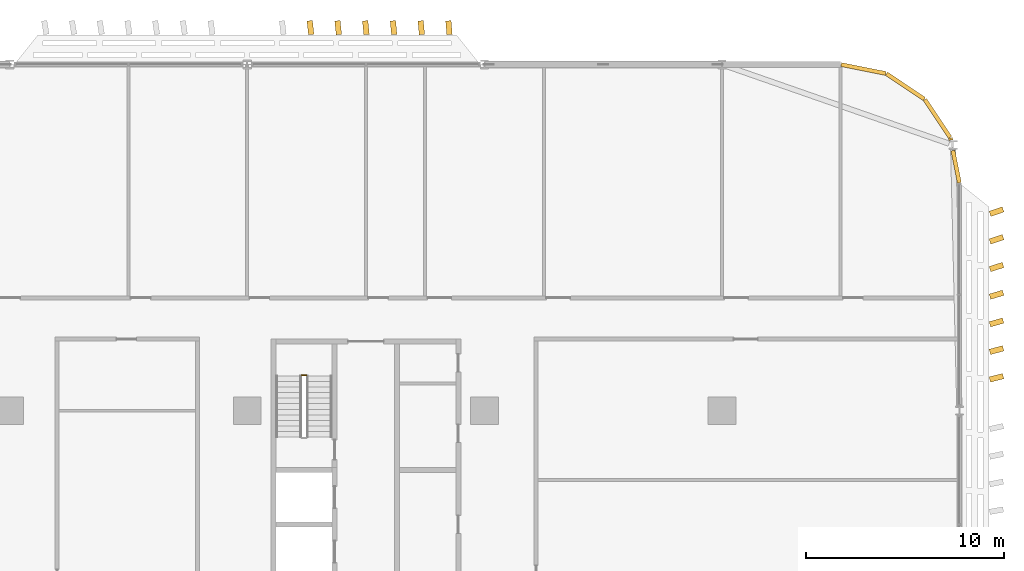
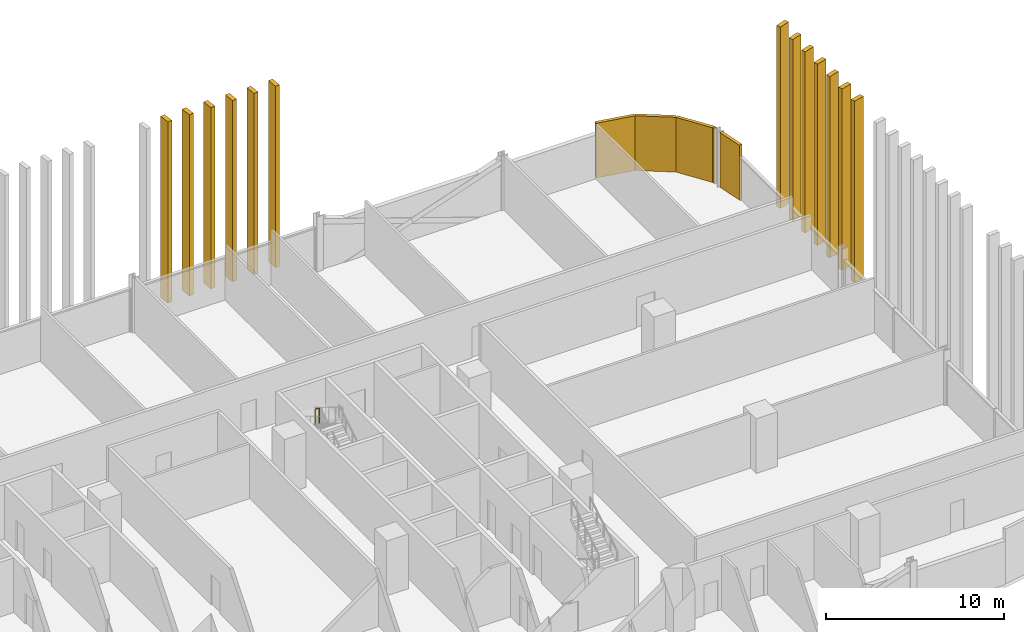
# One storey, part 31 of 31: 18 coverings, 1 railing.
"""IFC4 building model written with IfcOpenShell, lengths in metres."""

from ifc_helpers import new_model, si_unit, direction, frame, origin, origin_2d, place, context, subcontext, project, spatial, rectangle, circle, extrude, material, layer, layer_set, type_object, element, save


model = new_model("IFC4")

# Units and contexts
model_context = context("Model", 3, precision=1e-05, world=origin(), true_north=direction((0.0, 1.0)))
body_context = subcontext(model_context, "Body", "Model", "MODEL_VIEW")
ifc_project = project(units=[si_unit("LENGTHUNIT", "METRE"), si_unit("AREAUNIT", "SQUARE_METRE"), si_unit("VOLUMEUNIT", "CUBIC_METRE"), si_unit("PLANEANGLEUNIT", "RADIAN"), si_unit("MASSUNIT", "GRAM", prefix="KILO")], contexts=[model_context])

# Site, building, storey
site_placement = place(None, origin())
site = spatial("IfcSite", under=ifc_project, at=site_placement, CompositionType="ELEMENT")
building_placement = place(site_placement, origin())
building = spatial("IfcBuilding", under=site, at=building_placement, Name="Mahtab Terrace Research Tower", CompositionType="ELEMENT")
storey_placement = place(building_placement, frame((0.0, 0.0, 101.199951171875)))
storey = spatial("IfcBuildingStorey", under=building, at=storey_placement, Name="L23", CompositionType="ELEMENT", Elevation=101.199951171875)

# Coverings
ifc_material_1 = material(Name="Black aluminium cladding panel", Category="aluminium")
ifc_layer_1 = layer(ifc_material_1, 0.199951171875)
ifc_layer_set_1 = layer_set([ifc_layer_1], Name="Black metal corner cladding 200")
covering_type_1 = type_object("IfcCoveringType", Name="Black metal corner cladding 200", PredefinedType="CLADDING", material=ifc_layer_set_1)
for number, where, z_axis, x_axis, name in (
    (1, (52.89306640625, 26.26953125, 0.0), (0.0, 0.0, 1.0), (-0.555291490808, 0.831655794326, 0.0), "Corner cladding L23 0"),
    (2, (51.26953125, 27.89306640625, 0.0), (0.0, 0.0, 1.0), (-0.831655794326, 0.555291490808, 0.0), "Corner cladding L23 1"),
    (3, (49.14794921875, 28.771484375, 0.0), (0.0, 0.0, 1.0), (-0.980760981187, 0.195212442692, 0.0), "Corner cladding L23 2"),
):
    element("IfcCovering", number, at=place(storey_placement, frame(where, z_axis=z_axis, x_axis=x_axis)), inside=storey, type_object=covering_type_1, Name=name, PredefinedType="CLADDING", context=body_context, shape_type="SweptSolid", body=[
        extrude(rectangle(XDim=2.30126953125, YDim=0.199951171875, at=origin_2d()), origin(), (0.0, 0.0, 1.0), 3.760009765625),
    ])
covering_1_placement = place(storey_placement, frame((53.833740234375, 23.83544921875, 0.0), z_axis=(0.0, 0.0, 1.0), x_axis=(-0.195212442692, 0.980760981187, 0.0)))
element("IfcCovering", 4, at=covering_1_placement, inside=storey, type_object=covering_type_1, Name="Corner cladding L23 39", PredefinedType="CLADDING", context=body_context, shape_type="SweptSolid", body=[
    extrude(rectangle(XDim=1.6640625, YDim=0.199951171875, at=origin_2d()), origin(), (0.0, 0.0, 1.0), 3.760009765625),
])
covering_2_placement = place(storey_placement, frame((53.5556640625, 25.231689453125, 0.0), z_axis=(0.0, 0.0, 1.0), x_axis=(-0.195212442692, 0.980760981187, 0.0)))
element("IfcCovering", 5, at=covering_2_placement, inside=storey, type_object=covering_type_1, Name="Corner cladding L23 40", PredefinedType="CLADDING", context=body_context, shape_type="SweptSolid", body=[
    extrude(rectangle(XDim=0.11083984375, YDim=0.199951171875, at=origin_2d()), origin(), (0.0, 0.0, 1.0), 3.760009765625),
])

# Railing
ifc_material_2 = material(Name="Stainless steel AISI 304", Category="steel")
railing_type = type_object("IfcRailingType", Name="Stair guard 1100", PredefinedType="GUARDRAIL", material=ifc_material_2)
railing_placement = place(storey_placement, frame((21.0, 13.304931640625, 2.050048828125)))
element("IfcRailing", 6, at=railing_placement, inside=storey, type_object=railing_type, Name="L23 ST3 stair guard 2", PredefinedType="GUARDRAIL", context=body_context, shape_type="SweptSolid", body=[
    extrude(circle(Radius=0.02392578125, at=origin_2d()), frame((0.0, 0.0, 1.076171875), z_axis=(-1.0, 0.0, 0.0), x_axis=(0.0, -1.0, 0.0)), (0.0, 0.0, 1.0), 0.25),
    extrude(circle(Radius=0.02099609375, at=origin_2d()), origin(), (0.0, 0.0, 1.0), 1.052001953125),
    extrude(circle(Radius=0.02099609375, at=origin_2d()), frame((-0.25, 0.0, 0.0)), (0.0, 0.0, 1.0), 1.052001953125),
])

# Coverings
ifc_material_3 = material(Name="Bronze anodised aluminium", Category="aluminium")
ifc_layer_2 = layer(ifc_material_3, 0.1201171875)
ifc_layer_set_2 = layer_set([ifc_layer_2], Name="Vertical fin 700")
covering_type_2 = type_object("IfcCoveringType", Name="Vertical fin 700", PredefinedType="CLADDING", material=ifc_layer_set_2)
for number, where, z_axis, x_axis, name in (
    (7, (28.199951171875, 30.8603515625, -0.14990234375), (0.0, 0.0, 1.0), (-0.996616925886, -0.082187000416, 0.0), "Fin L23 N1"),
    (8, (26.800048828125, 30.86083984375, -0.14990234375), (0.0, 0.0, 1.0), (-0.996121918106, -0.087983659104, 0.0), "Fin L23 N2"),
    (9, (25.39990234375, 30.861572265625, -0.14990234375), (0.0, 0.0, 1.0), (-0.995593195301, -0.093777339855, 0.0), "Fin L23 N3"),
    (10, (24.0, 30.8623046875, -0.14990234375), (0.0, 0.0, 1.0), (-0.995030775366, -0.099567846591, 0.0), "Fin L23 N4"),
    (11, (22.60009765625, 30.86279296875, -0.14990234375), (0.0, 0.0, 1.0), (-0.994434677334, -0.105354983343, 0.0), "Fin L23 N5"),
    (12, (21.199951171875, 30.86328125, -0.14990234375), (0.0, 0.0, 1.0), (-0.993804921385, -0.111138554202, 0.0), "Fin L23 N6"),
    (13, (55.873779296875, 13.1640625, -0.14990234375), (0.0, 0.0, 1.0), (-0.245546249204, 0.969384876869, 0.0), "Fin L23 E1"),
    (14, (55.874267578125, 14.56396484375, -0.14990234375), (0.0, 0.0, 1.0), (-0.259453665368, 0.965755556819, 0.0), "Fin L23 E2"),
    (15, (55.875, 15.964111328125, -0.14990234375), (0.0, 0.0, 1.0), (-0.273307481469, 0.961926723079, 0.0), "Fin L23 E3"),
    (16, (55.87548828125, 17.364013671875, -0.14990234375), (0.0, 0.0, 1.0), (-0.287104835456, 0.957899166644, 0.0), "Fin L23 E4"),
    (17, (55.8759765625, 18.763916015625, -0.14990234375), (0.0, 0.0, 1.0), (-0.300842876992, 0.953673719552, 0.0), "Fin L23 E5"),
    (18, (55.876220703125, 20.1640625, -0.14990234375), (0.0, 0.0, 1.0), (-0.314518767942, 0.949251254733, 0.0), "Fin L23 E6"),
    (19, (55.87646484375, 21.56396484375, -0.14990234375), (0.0, 0.0, 1.0), (-0.328129683031, 0.944632685817, 0.0), "Fin L23 E7"),
):
    element("IfcCovering", number, at=place(storey_placement, frame(where, z_axis=z_axis, x_axis=x_axis)), inside=storey, type_object=covering_type_2, Name=name, PredefinedType="CLADDING", context=body_context, shape_type="SweptSolid", body=[
        extrude(rectangle(XDim=0.280029296875, YDim=0.699951171875, at=origin_2d()), origin(), (0.0, 0.0, 1.0), 12.449951171875),
    ])

save(model, "model.ifc")
